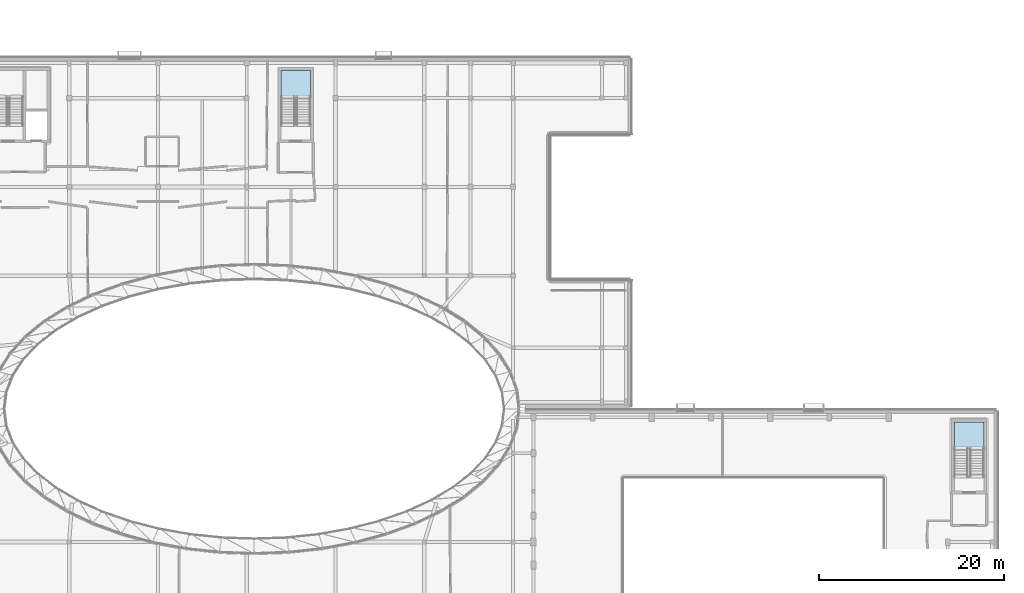
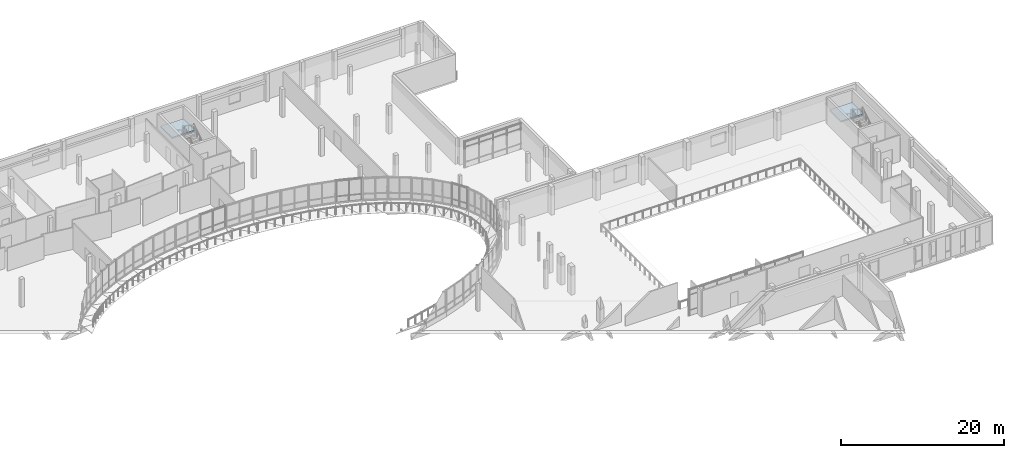
# One storey, part 37 of 84: 2 slabs, 2 elements without a shape of their own.
"""IFC4 building model written with IfcOpenShell, lengths in metres."""

from ifc_helpers import new_model, si_unit, direction, frame, origin, place, context, subcontext, project, spatial, polyline, outline, extrude, material, layer, layer_set, type_object, element, aggregate, save


model = new_model("IFC4")

# Units and contexts
model_context = context("Model", 3, precision=1e-05, world=origin(), true_north=direction((0.0, 1.0)))
body_context = subcontext(model_context, "Body", "Model", "MODEL_VIEW")
ifc_project = project(units=[si_unit("LENGTHUNIT", "METRE"), si_unit("AREAUNIT", "SQUARE_METRE"), si_unit("VOLUMEUNIT", "CUBIC_METRE"), si_unit("PLANEANGLEUNIT", "RADIAN"), si_unit("MASSUNIT", "GRAM", prefix="KILO")], contexts=[model_context])

# Site, building, storey
site_placement = place(None, origin())
site = spatial("IfcSite", under=ifc_project, at=site_placement, CompositionType="ELEMENT")
building_placement = place(site_placement, origin())
building = spatial("IfcBuilding", under=site, at=building_placement, Name="Mzevani Central Library", CompositionType="ELEMENT")
storey_placement = place(building_placement, frame((0.0, 0.0, 5.39990234375)))
storey = spatial("IfcBuildingStorey", under=building, at=storey_placement, Name="L01", CompositionType="ELEMENT", Elevation=5.39990234375)

# Stair, slab
ifc_material = material(Name="Concrete C35/45", Category="concrete")
stair_type = type_object("IfcStairType", Name="Dogleg Exit Stair 175x280", PredefinedType="HALF_TURN_STAIR", material=ifc_material)
stair_1_placement = place(storey_placement, origin())
stair_1 = element("IfcStair", 1, at=stair_1_placement, inside=storey, type_object=stair_type, Name="L01 Core C1B Reading Hall East Exit Stair ST-02", PredefinedType="HALF_TURN_STAIR")
ifc_layer = layer(ifc_material, 0.199951171875, Name="Stair Landing Slab 200")
ifc_layer_set = layer_set([ifc_layer], Name="Concrete C35/45")
slab_type = type_object("IfcSlabType", Name="Stair Landing Slab 200", PredefinedType="LANDING", material=ifc_layer_set)
slab_1_placement = place(storey_placement, frame((0.0, 0.0, 1.900146484375)))
slab_1 = element("IfcSlab", 2, at=slab_1_placement, type_object=slab_type, Name="ST-02 landing 1", PredefinedType="LANDING", context=body_context, shape_type="SweptSolid", body=[
    extrude(outline(polyline([(162.89990234375, 71.780029296875), (162.89990234375, 74.60009765625), (159.699951171875, 74.60009765625), (159.699951171875, 71.780029296875), (162.89990234375, 71.780029296875)])), origin(), (0.0, 0.0, 1.0), 0.199951171875),
])
aggregate(stair_1, [slab_1])

stair_2_placement = place(storey_placement, origin())
stair_2 = element("IfcStair", 3, at=stair_2_placement, inside=storey, type_object=stair_type, Name="L01 Core C3B Atrium East Escape Stair Exit Stair ST-02", PredefinedType="HALF_TURN_STAIR")
slab_2_placement = place(storey_placement, frame((0.0, 0.0, 1.900146484375)))
slab_2 = element("IfcSlab", 4, at=slab_2_placement, type_object=slab_type, Name="ST-06 landing 1", PredefinedType="LANDING", context=body_context, shape_type="SweptSolid", body=[
    extrude(outline(polyline([(90.10009765625, 109.780029296875), (90.10009765625, 112.60009765625), (86.89990234375, 112.60009765625), (86.89990234375, 109.780029296875), (90.10009765625, 109.780029296875)])), origin(), (0.0, 0.0, 1.0), 0.199951171875),
])
aggregate(stair_2, [slab_2])

save(model, "model.ifc")
